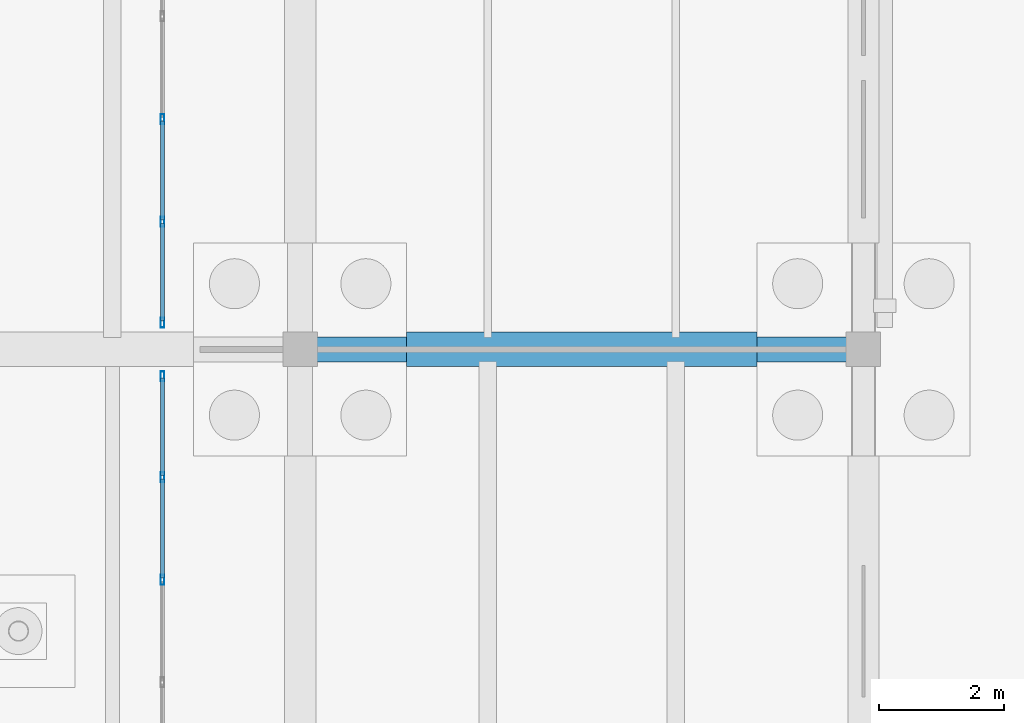
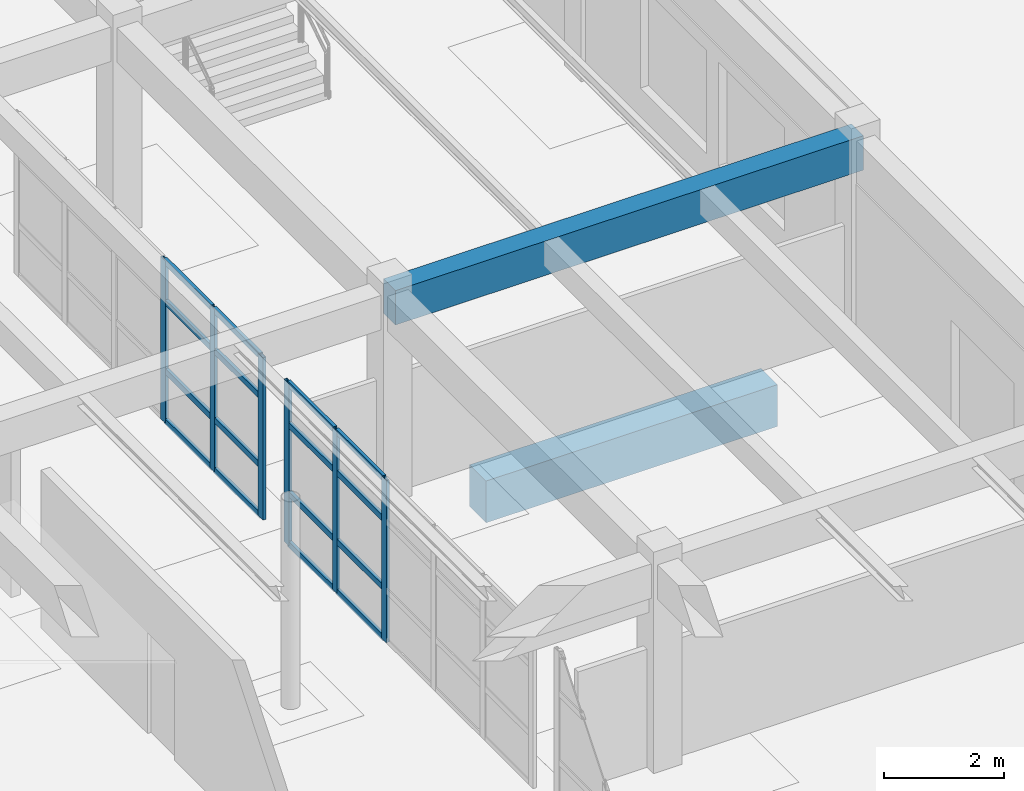
# One storey, part 39 of 186: 22 members, 2 beams, 2 elements without a shape of their own.
"""IFC4 building model written with IfcOpenShell, lengths in metres."""

from ifc_helpers import new_model, si_unit, direction, frame, origin, origin_2d, place, context, subcontext, project, spatial, rectangle, hollow_rectangle, extrude, material, layer, layer_set, material_profile, profile_set, type_object, element, aggregate, save


model = new_model("IFC4")

# Units and contexts
model_context = context("Model", 3, precision=1e-05, world=origin(), true_north=direction((0.0, 1.0)))
body_context = subcontext(model_context, "Body", "Model", "MODEL_VIEW")
ifc_project = project(units=[si_unit("LENGTHUNIT", "METRE"), si_unit("AREAUNIT", "SQUARE_METRE"), si_unit("VOLUMEUNIT", "CUBIC_METRE"), si_unit("PLANEANGLEUNIT", "RADIAN"), si_unit("MASSUNIT", "GRAM", prefix="KILO")], contexts=[model_context])

# Site, building, storey
site_placement = place(None, origin())
site = spatial("IfcSite", under=ifc_project, at=site_placement, CompositionType="ELEMENT")
building_placement = place(site_placement, origin())
building = spatial("IfcBuilding", under=site, at=building_placement, Name="Ornek Quay Market", CompositionType="ELEMENT")
storey_placement = place(building_placement, origin())
storey = spatial("IfcBuildingStorey", under=building, at=storey_placement, Name="L00", CompositionType="ELEMENT", Elevation=0.0)

# Beams
ifc_material_1 = material(Name="Concrete C35/45", Category="concrete")
ifc_material_profile_1 = material_profile(ifc_material_1, rectangle(XDim=0.550048828125, YDim=0.85009765625, at=origin_2d()), Name="RC 550x850", Category="concrete")
ifc_profile_set_1 = profile_set([ifc_material_profile_1], Name="Concrete C35/45")
beam_type_1 = type_object("IfcBeamType", Name="BM-GB-550x850", PredefinedType="BEAM", material=ifc_profile_set_1)
beam_1_placement = place(storey_placement, frame((19.699951171875, 47.0, -0.625), z_axis=(1.0, 0.0, 0.0), x_axis=(0.0, 1.0, 0.0)))
element("IfcBeam", 1, at=beam_1_placement, inside=storey, type_object=beam_type_1, Name="Ground tie beam GB-016", PredefinedType="BEAM", context=body_context, shape_type="SweptSolid", body=[
    extrude(rectangle(XDim=0.550048828125, YDim=0.85009765625, at=origin_2d()), origin(), (0.0, 0.0, 1.0), 5.60009765625),
])
ifc_material_profile_2 = material_profile(ifc_material_1, rectangle(XDim=0.39990234375, YDim=0.699951171875, at=origin_2d()), Name="RC 400x700", Category="concrete")
ifc_profile_set_2 = profile_set([ifc_material_profile_2], Name="Concrete C35/45")
beam_type_2 = type_object("IfcBeamType", Name="BM-WW-400x700", PredefinedType="BEAM", material=ifc_profile_set_2)
beam_2_placement = place(storey_placement, frame((18.0, 47.0, 3.8701171875), z_axis=(1.0, 0.0, 0.0), x_axis=(0.0, 1.0, 0.0)))
element("IfcBeam", 2, at=beam_2_placement, inside=storey, type_object=beam_type_2, Name="Primary beam B-WW1-009", PredefinedType="BEAM", context=body_context, shape_type="SweptSolid", body=[
    extrude(rectangle(XDim=0.39990234375, YDim=0.699951171875, at=origin_2d()), origin(), (0.0, 0.0, 1.0), 9.0),
])

# Curtain wall, members
ifc_material_2 = material(Name="Anodised bronze aluminium and triple low-e glass", Category="aluminium")
ifc_layer = layer(ifc_material_2, 0.179931640625, Name="Anodised bronze aluminium and triple low-e glass", Category="aluminium")
ifc_layer_set = layer_set([ifc_layer], Name="Anodised bronze aluminium and triple low-e glass")
curtain_wall_type = type_object("IfcCurtainWallType", Name="CW-CONC-MOD1500", PredefinedType="USERDEFINED", material=ifc_layer_set)
curtain_wall_1_placement = place(storey_placement, origin())
curtain_wall_1 = element("IfcCurtainWall", 3, at=curtain_wall_1_placement, inside=storey, type_object=curtain_wall_type, Name="Curtain wall CW-136", ObjectType="CURTAIN WALL", PredefinedType="USERDEFINED")
ifc_material_3 = material(Name="Anodised aluminium 6063-T6", Category="aluminium")
ifc_material_profile_3 = material_profile(ifc_material_3, hollow_rectangle(XDim=0.06005859375, YDim=0.159912109375, WallThickness=0.00390625, at=origin_2d()), Name="CW-MUL-60x160", Category="aluminium")
ifc_profile_set_3 = profile_set([ifc_material_profile_3], Name="Anodised aluminium 6063-T6")
member_type_1 = type_object("IfcMemberType", Name="CW-MUL-60x160", PredefinedType="MULLION", material=ifc_profile_set_3)
member_1_placement = place(storey_placement, frame((15.800048828125, 43.320068359375, 0.0), z_axis=(0.0, 0.0, 1.0), x_axis=(-1.0, 0.0, 0.0)))
member_1 = element("IfcMember", 4, at=member_1_placement, type_object=member_type_1, Name="CW-136 mullion 4", PredefinedType="MULLION", context=body_context, shape_type="SweptSolid", body=[
    extrude(hollow_rectangle(XDim=0.06005859375, YDim=0.159912109375, WallThickness=0.00390625, at=origin_2d()), origin(), (0.0, 0.0, 1.0), 3.300048828125),
])
member_2_placement = place(storey_placement, frame((15.800048828125, 44.9599609375, 0.0), z_axis=(0.0, 0.0, 1.0), x_axis=(-1.0, 0.0, 0.0)))
member_2 = element("IfcMember", 5, at=member_2_placement, type_object=member_type_1, Name="CW-136 mullion 5", PredefinedType="MULLION", context=body_context, shape_type="SweptSolid", body=[
    extrude(hollow_rectangle(XDim=0.06005859375, YDim=0.159912109375, WallThickness=0.00390625, at=origin_2d()), origin(), (0.0, 0.0, 1.0), 3.300048828125),
])
member_3_placement = place(storey_placement, frame((15.800048828125, 46.570068359375, 0.0), z_axis=(0.0, 0.0, 1.0), x_axis=(-1.0, 0.0, 0.0)))
member_3 = element("IfcMember", 6, at=member_3_placement, type_object=member_type_1, Name="CW-136 mullion 6", PredefinedType="MULLION", context=body_context, shape_type="SweptSolid", body=[
    extrude(hollow_rectangle(XDim=0.06005859375, YDim=0.159912109375, WallThickness=0.00390625, at=origin_2d()), origin(), (0.0, 0.0, 1.0), 3.300048828125),
])

curtain_wall_2_placement = place(storey_placement, origin())
curtain_wall_2 = element("IfcCurtainWall", 7, at=curtain_wall_2_placement, inside=storey, type_object=curtain_wall_type, Name="Curtain wall CW-138", ObjectType="CURTAIN WALL", PredefinedType="USERDEFINED")
member_4_placement = place(storey_placement, frame((15.800048828125, 47.429931640625, 0.0), z_axis=(0.0, 0.0, 1.0), x_axis=(-1.0, 0.0, 0.0)))
member_4 = element("IfcMember", 8, at=member_4_placement, type_object=member_type_1, Name="CW-138 mullion 1", PredefinedType="MULLION", context=body_context, shape_type="SweptSolid", body=[
    extrude(hollow_rectangle(XDim=0.06005859375, YDim=0.159912109375, WallThickness=0.00390625, at=origin_2d()), origin(), (0.0, 0.0, 1.0), 3.300048828125),
])
member_5_placement = place(storey_placement, frame((15.800048828125, 49.0400390625, 0.0), z_axis=(0.0, 0.0, 1.0), x_axis=(-1.0, 0.0, 0.0)))
member_5 = element("IfcMember", 9, at=member_5_placement, type_object=member_type_1, Name="CW-138 mullion 2", PredefinedType="MULLION", context=body_context, shape_type="SweptSolid", body=[
    extrude(hollow_rectangle(XDim=0.06005859375, YDim=0.159912109375, WallThickness=0.00390625, at=origin_2d()), origin(), (0.0, 0.0, 1.0), 3.300048828125),
])
member_6_placement = place(storey_placement, frame((15.800048828125, 50.679931640625, 0.0), z_axis=(0.0, 0.0, 1.0), x_axis=(-1.0, 0.0, 0.0)))
member_6 = element("IfcMember", 10, at=member_6_placement, type_object=member_type_1, Name="CW-138 mullion 3", PredefinedType="MULLION", context=body_context, shape_type="SweptSolid", body=[
    extrude(hollow_rectangle(XDim=0.06005859375, YDim=0.159912109375, WallThickness=0.00390625, at=origin_2d()), origin(), (0.0, 0.0, 1.0), 3.300048828125),
])

# Member
ifc_material_profile_4 = material_profile(ifc_material_3, hollow_rectangle(XDim=0.06005859375, YDim=0.1201171875, WallThickness=0.00390625, at=origin_2d()), Name="CW-TRN-60x120", Category="aluminium")
ifc_profile_set_4 = profile_set([ifc_material_profile_4], Name="Anodised aluminium 6063-T6")
member_type_2 = type_object("IfcMemberType", Name="CW-TRN-60x120", PredefinedType="USERDEFINED", material=ifc_profile_set_4)
member_7_placement = place(storey_placement, frame((15.800048828125, 43.35009765625, 0.030029296875), z_axis=(0.0, 1.0, 0.0), x_axis=(-1.0, 0.0, 0.0)))
member_7 = element("IfcMember", 11, at=member_7_placement, type_object=member_type_2, Name="CW-136 transom 4.1", ObjectType="TRANSOM", PredefinedType="USERDEFINED", context=body_context, shape_type="SweptSolid", body=[
    extrude(hollow_rectangle(XDim=0.06005859375, YDim=0.1201171875, WallThickness=0.00390625, at=origin_2d()), origin(), (0.0, 0.0, 1.0), 1.579833984375),
])

member_8_placement = place(storey_placement, frame((15.800048828125, 43.35009765625, 1.050048828125), z_axis=(0.0, 1.0, 0.0), x_axis=(-1.0, 0.0, 0.0)))
member_8 = element("IfcMember", 12, at=member_8_placement, type_object=member_type_2, Name="CW-136 transom 4.2", ObjectType="TRANSOM", PredefinedType="USERDEFINED", context=body_context, shape_type="SweptSolid", body=[
    extrude(hollow_rectangle(XDim=0.06005859375, YDim=0.1201171875, WallThickness=0.00390625, at=origin_2d()), origin(), (0.0, 0.0, 1.0), 1.579833984375),
])

member_9_placement = place(storey_placement, frame((15.800048828125, 43.35009765625, 2.449951171875), z_axis=(0.0, 1.0, 0.0), x_axis=(-1.0, 0.0, 0.0)))
member_9 = element("IfcMember", 13, at=member_9_placement, type_object=member_type_2, Name="CW-136 transom 4.3", ObjectType="TRANSOM", PredefinedType="USERDEFINED", context=body_context, shape_type="SweptSolid", body=[
    extrude(hollow_rectangle(XDim=0.06005859375, YDim=0.1201171875, WallThickness=0.00390625, at=origin_2d()), origin(), (0.0, 0.0, 1.0), 1.579833984375),
])

member_10_placement = place(storey_placement, frame((15.800048828125, 43.35009765625, 3.27001953125), z_axis=(0.0, 1.0, 0.0), x_axis=(-1.0, 0.0, 0.0)))
member_10 = element("IfcMember", 14, at=member_10_placement, type_object=member_type_2, Name="CW-136 transom 4.4", ObjectType="TRANSOM", PredefinedType="USERDEFINED", context=body_context, shape_type="SweptSolid", body=[
    extrude(hollow_rectangle(XDim=0.06005859375, YDim=0.1201171875, WallThickness=0.00390625, at=origin_2d()), origin(), (0.0, 0.0, 1.0), 1.579833984375),
])

member_11_placement = place(storey_placement, frame((15.800048828125, 44.989990234375, 0.030029296875), z_axis=(0.0, 1.0, 0.0), x_axis=(-1.0, 0.0, 0.0)))
member_11 = element("IfcMember", 15, at=member_11_placement, type_object=member_type_2, Name="CW-136 transom 5.1", ObjectType="TRANSOM", PredefinedType="USERDEFINED", context=body_context, shape_type="SweptSolid", body=[
    extrude(hollow_rectangle(XDim=0.06005859375, YDim=0.1201171875, WallThickness=0.00390625, at=origin_2d()), origin(), (0.0, 0.0, 1.0), 1.550048828125),
])

member_12_placement = place(storey_placement, frame((15.800048828125, 44.989990234375, 1.050048828125), z_axis=(0.0, 1.0, 0.0), x_axis=(-1.0, 0.0, 0.0)))
member_12 = element("IfcMember", 16, at=member_12_placement, type_object=member_type_2, Name="CW-136 transom 5.2", ObjectType="TRANSOM", PredefinedType="USERDEFINED", context=body_context, shape_type="SweptSolid", body=[
    extrude(hollow_rectangle(XDim=0.06005859375, YDim=0.1201171875, WallThickness=0.00390625, at=origin_2d()), origin(), (0.0, 0.0, 1.0), 1.550048828125),
])

member_13_placement = place(storey_placement, frame((15.800048828125, 44.989990234375, 2.449951171875), z_axis=(0.0, 1.0, 0.0), x_axis=(-1.0, 0.0, 0.0)))
member_13 = element("IfcMember", 17, at=member_13_placement, type_object=member_type_2, Name="CW-136 transom 5.3", ObjectType="TRANSOM", PredefinedType="USERDEFINED", context=body_context, shape_type="SweptSolid", body=[
    extrude(hollow_rectangle(XDim=0.06005859375, YDim=0.1201171875, WallThickness=0.00390625, at=origin_2d()), origin(), (0.0, 0.0, 1.0), 1.550048828125),
])

member_14_placement = place(storey_placement, frame((15.800048828125, 44.989990234375, 3.27001953125), z_axis=(0.0, 1.0, 0.0), x_axis=(-1.0, 0.0, 0.0)))
member_14 = element("IfcMember", 18, at=member_14_placement, type_object=member_type_2, Name="CW-136 transom 5.4", ObjectType="TRANSOM", PredefinedType="USERDEFINED", context=body_context, shape_type="SweptSolid", body=[
    extrude(hollow_rectangle(XDim=0.06005859375, YDim=0.1201171875, WallThickness=0.00390625, at=origin_2d()), origin(), (0.0, 0.0, 1.0), 1.550048828125),
])

aggregate(curtain_wall_1, [member_1, member_2, member_3, member_7, member_8, member_9, member_10, member_11, member_12, member_13, member_14])

member_15_placement = place(storey_placement, frame((15.800048828125, 47.4599609375, 0.030029296875), z_axis=(0.0, 1.0, 0.0), x_axis=(-1.0, 0.0, 0.0)))
member_15 = element("IfcMember", 19, at=member_15_placement, type_object=member_type_2, Name="CW-138 transom 1.1", ObjectType="TRANSOM", PredefinedType="USERDEFINED", context=body_context, shape_type="SweptSolid", body=[
    extrude(hollow_rectangle(XDim=0.06005859375, YDim=0.1201171875, WallThickness=0.00390625, at=origin_2d()), origin(), (0.0, 0.0, 1.0), 1.550048828125),
])

member_16_placement = place(storey_placement, frame((15.800048828125, 47.4599609375, 1.050048828125), z_axis=(0.0, 1.0, 0.0), x_axis=(-1.0, 0.0, 0.0)))
member_16 = element("IfcMember", 20, at=member_16_placement, type_object=member_type_2, Name="CW-138 transom 1.2", ObjectType="TRANSOM", PredefinedType="USERDEFINED", context=body_context, shape_type="SweptSolid", body=[
    extrude(hollow_rectangle(XDim=0.06005859375, YDim=0.1201171875, WallThickness=0.00390625, at=origin_2d()), origin(), (0.0, 0.0, 1.0), 1.550048828125),
])

member_17_placement = place(storey_placement, frame((15.800048828125, 47.4599609375, 2.449951171875), z_axis=(0.0, 1.0, 0.0), x_axis=(-1.0, 0.0, 0.0)))
member_17 = element("IfcMember", 21, at=member_17_placement, type_object=member_type_2, Name="CW-138 transom 1.3", ObjectType="TRANSOM", PredefinedType="USERDEFINED", context=body_context, shape_type="SweptSolid", body=[
    extrude(hollow_rectangle(XDim=0.06005859375, YDim=0.1201171875, WallThickness=0.00390625, at=origin_2d()), origin(), (0.0, 0.0, 1.0), 1.550048828125),
])

member_18_placement = place(storey_placement, frame((15.800048828125, 47.4599609375, 3.27001953125), z_axis=(0.0, 1.0, 0.0), x_axis=(-1.0, 0.0, 0.0)))
member_18 = element("IfcMember", 22, at=member_18_placement, type_object=member_type_2, Name="CW-138 transom 1.4", ObjectType="TRANSOM", PredefinedType="USERDEFINED", context=body_context, shape_type="SweptSolid", body=[
    extrude(hollow_rectangle(XDim=0.06005859375, YDim=0.1201171875, WallThickness=0.00390625, at=origin_2d()), origin(), (0.0, 0.0, 1.0), 1.550048828125),
])

member_19_placement = place(storey_placement, frame((15.800048828125, 49.070068359375, 0.030029296875), z_axis=(0.0, 1.0, 0.0), x_axis=(-1.0, 0.0, 0.0)))
member_19 = element("IfcMember", 23, at=member_19_placement, type_object=member_type_2, Name="CW-138 transom 2.1", ObjectType="TRANSOM", PredefinedType="USERDEFINED", context=body_context, shape_type="SweptSolid", body=[
    extrude(hollow_rectangle(XDim=0.06005859375, YDim=0.1201171875, WallThickness=0.00390625, at=origin_2d()), origin(), (0.0, 0.0, 1.0), 1.579833984375),
])

member_20_placement = place(storey_placement, frame((15.800048828125, 49.070068359375, 1.050048828125), z_axis=(0.0, 1.0, 0.0), x_axis=(-1.0, 0.0, 0.0)))
member_20 = element("IfcMember", 24, at=member_20_placement, type_object=member_type_2, Name="CW-138 transom 2.2", ObjectType="TRANSOM", PredefinedType="USERDEFINED", context=body_context, shape_type="SweptSolid", body=[
    extrude(hollow_rectangle(XDim=0.06005859375, YDim=0.1201171875, WallThickness=0.00390625, at=origin_2d()), origin(), (0.0, 0.0, 1.0), 1.579833984375),
])

member_21_placement = place(storey_placement, frame((15.800048828125, 49.070068359375, 2.449951171875), z_axis=(0.0, 1.0, 0.0), x_axis=(-1.0, 0.0, 0.0)))
member_21 = element("IfcMember", 25, at=member_21_placement, type_object=member_type_2, Name="CW-138 transom 2.3", ObjectType="TRANSOM", PredefinedType="USERDEFINED", context=body_context, shape_type="SweptSolid", body=[
    extrude(hollow_rectangle(XDim=0.06005859375, YDim=0.1201171875, WallThickness=0.00390625, at=origin_2d()), origin(), (0.0, 0.0, 1.0), 1.579833984375),
])

member_22_placement = place(storey_placement, frame((15.800048828125, 49.070068359375, 3.27001953125), z_axis=(0.0, 1.0, 0.0), x_axis=(-1.0, 0.0, 0.0)))
member_22 = element("IfcMember", 26, at=member_22_placement, type_object=member_type_2, Name="CW-138 transom 2.4", ObjectType="TRANSOM", PredefinedType="USERDEFINED", context=body_context, shape_type="SweptSolid", body=[
    extrude(hollow_rectangle(XDim=0.06005859375, YDim=0.1201171875, WallThickness=0.00390625, at=origin_2d()), origin(), (0.0, 0.0, 1.0), 1.579833984375),
])

aggregate(curtain_wall_2, [member_4, member_5, member_6, member_15, member_16, member_17, member_18, member_19, member_20, member_21, member_22])

save(model, "model.ifc")
